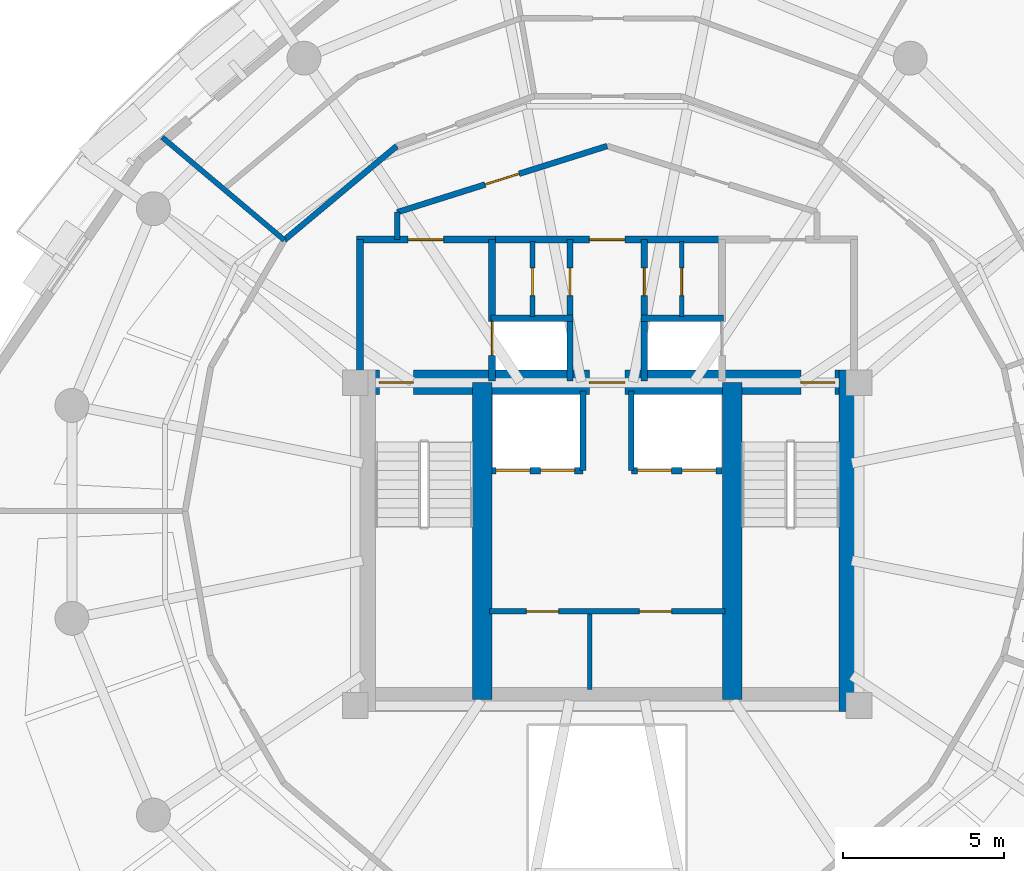
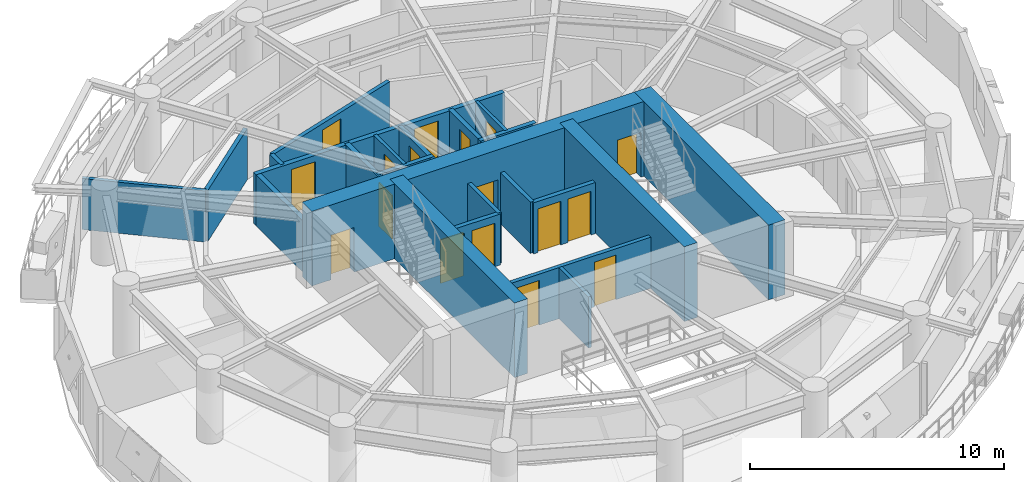
# One storey, part 8 of 12: 24 walls, 17 doors, 17 openings.
"""IFC4 building model written with IfcOpenShell, lengths in metres."""

from ifc_helpers import new_model, si_unit, direction, frame, frame_2d, origin, place, context, subcontext, project, spatial, rectangle, extrude, material, layer, layer_set, type_object, element, fill, save


model = new_model("IFC4")

# Units and contexts
model_context = context("Model", 3, precision=1e-05, world=origin(), true_north=direction((0.0, 1.0)))
body_context = subcontext(model_context, "Body", "Model", "MODEL_VIEW")
ifc_project = project(units=[si_unit("LENGTHUNIT", "METRE"), si_unit("AREAUNIT", "SQUARE_METRE"), si_unit("VOLUMEUNIT", "CUBIC_METRE"), si_unit("PLANEANGLEUNIT", "RADIAN"), si_unit("MASSUNIT", "GRAM", prefix="KILO"), si_unit("THERMODYNAMICTEMPERATUREUNIT", "KELVIN"), si_unit("POWERUNIT", "WATT")], contexts=[model_context])

# Site, building, storey
site_placement = place(None, origin())
site = spatial("IfcSite", under=ifc_project, at=site_placement, CompositionType="ELEMENT")
building_placement = place(site_placement, origin())
building = spatial("IfcBuilding", under=site, at=building_placement, Name="Ocrelia Relay Tower", CompositionType="ELEMENT")
storey_placement = place(building_placement, frame((0.0, 0.0, 198.800048828125)))
storey = spatial("IfcBuildingStorey", under=building, at=storey_placement, Name="L48", CompositionType="ELEMENT", Elevation=198.800048828125)

# Wall, openings, doors
ifc_material_1 = material(Name="Concrete C60/75", Category="concrete")
ifc_layer_1 = layer(ifc_material_1, 0.75, Name="Concrete C60/75")
ifc_layer_set_1 = layer_set([ifc_layer_1], Name="Concrete C60/75")
wall_type_1 = type_object("IfcWallType", Name="CW-CORE-750", PredefinedType="SHEAR", material=ifc_layer_set_1)
wall_1_placement = place(storey_placement, frame((26.072021484375, 30.012939453125, 0.0), z_axis=(0.0, 0.0, 1.0), x_axis=(1.0, 0.0, 0.0)))
wall_1 = element("IfcWall", 1, at=wall_1_placement, inside=storey, type_object=wall_type_1, Name="L48 Core Shear Wall N", PredefinedType="SHEAR", context=body_context, shape_type="SweptSolid", body=[
    extrude(rectangle(XDim=15.865966796875, YDim=0.75, at=frame_2d((7.93310546875, 0.0))), origin(), (0.0, 0.0, 1.0), 3.599853515625),
])
opening_1_placement = place(wall_1_placement, frame((0.8779296875, 0.0, 0.0)))
opening_1 = element("IfcOpeningElement", 2, at=opening_1_placement, cuts=wall_1, Name="Opening D-FD90", PredefinedType="OPENING", context=body_context, shape_type="SweptSolid", body=[
    extrude(rectangle(XDim=1.050048828125, YDim=2.14990234375, at=frame_2d((0.52490234375, 1.074951171875))), frame((0.0, 0.385009765625, 0.0), z_axis=(0.0, -1.0, 0.0), x_axis=(1.0, 0.0, 0.0)), (0.0, 0.0, 1.0), 0.77001953125),
])
opening_2_placement = place(wall_1_placement, frame((13.927978515625, 0.0, 0.0)))
opening_2 = element("IfcOpeningElement", 3, at=opening_2_placement, cuts=wall_1, Name="Opening D-FD90", PredefinedType="OPENING", context=body_context, shape_type="SweptSolid", body=[
    extrude(rectangle(XDim=1.050048828125, YDim=2.14990234375, at=frame_2d((0.52490234375, 1.074951171875))), frame((0.0, 0.385009765625, 0.0), z_axis=(0.0, -1.0, 0.0), x_axis=(1.0, 0.0, 0.0)), (0.0, 0.0, 1.0), 0.77001953125),
])
opening_3_placement = place(wall_1_placement, frame((7.3779296875, 0.0, 0.0)))
opening_3 = element("IfcOpeningElement", 4, at=opening_3_placement, cuts=wall_1, Name="Opening D-FD60", PredefinedType="OPENING", context=body_context, shape_type="SweptSolid", body=[
    extrude(rectangle(XDim=1.10009765625, YDim=2.14990234375, at=frame_2d((0.550048828125, 1.074951171875))), frame((0.0, 0.385009765625, 0.0), z_axis=(0.0, -1.0, 0.0), x_axis=(1.0, 0.0, 0.0)), (0.0, 0.0, 1.0), 0.77001953125),
])
ifc_material_2 = material(Name="Timber-core 60-min acoustic fire door", Category="wood")
door_type_1 = type_object("IfcDoorType", Name="DR-LOBBY-FD60-1100", OperationType="NOTDEFINED", PredefinedType="DOOR", material=ifc_material_2)
door_1_placement = place(opening_3_placement, origin())
door_1 = element("IfcDoor", 5, at=door_1_placement, inside=storey, type_object=door_type_1, Name="L48 Core Lift Lobby North Fire Door", OperationType="SINGLE_SWING_LEFT", OverallHeight=2.14990234375, OverallWidth=1.10009765625, PredefinedType="DOOR", context=body_context, shape_type="SweptSolid", body=[
    extrude(rectangle(XDim=1.10009765625, YDim=2.14990234375, at=frame_2d((0.550048828125, 1.074951171875))), frame((0.0, 0.02490234375, 0.0), z_axis=(0.0, -1.0, 0.0), x_axis=(1.0, 0.0, 0.0)), (0.0, 0.0, 1.0), 0.050048828125),
])
fill(opening_3, door_1)
ifc_material_3 = material(Name="Steel S355 90-min fire door", Category="steel")
door_type_2 = type_object("IfcDoorType", Name="DR-STAIR-FD90-1050", OperationType="NOTDEFINED", PredefinedType="DOOR", material=ifc_material_3)
door_2_placement = place(opening_1_placement, origin())
door_2 = element("IfcDoor", 6, at=door_2_placement, inside=storey, type_object=door_type_2, Name="L48 Stair ST1 Fire Door", OperationType="SINGLE_SWING_LEFT", OverallHeight=2.14990234375, OverallWidth=1.050048828125, PredefinedType="DOOR", context=body_context, shape_type="SweptSolid", body=[
    extrude(rectangle(XDim=1.050048828125, YDim=2.14990234375, at=frame_2d((0.52490234375, 1.074951171875))), frame((0.0, 0.02490234375, 0.0), z_axis=(0.0, -1.0, 0.0), x_axis=(1.0, 0.0, 0.0)), (0.0, 0.0, 1.0), 0.050048828125),
])
fill(opening_1, door_2)
door_3_placement = place(opening_2_placement, origin())
door_3 = element("IfcDoor", 7, at=door_3_placement, inside=storey, type_object=door_type_2, Name="L48 Stair ST2 Fire Door", OperationType="SINGLE_SWING_RIGHT", OverallHeight=2.14990234375, OverallWidth=1.050048828125, PredefinedType="DOOR", context=body_context, shape_type="SweptSolid", body=[
    extrude(rectangle(XDim=1.050048828125, YDim=2.14990234375, at=frame_2d((0.52490234375, 1.074951171875))), frame((0.0, 0.02490234375, 0.0), z_axis=(0.0, -1.0, 0.0), x_axis=(1.0, 0.0, 0.0)), (0.0, 0.0, 1.0), 0.050048828125),
])
fill(opening_2, door_3)

# Walls
wall_2_placement = place(storey_placement, frame((41.56298828125, 19.81201171875, 0.0), z_axis=(0.0, 0.0, 1.0), x_axis=(0.0, 1.0, 0.0)))
element("IfcWall", 8, at=wall_2_placement, inside=storey, type_object=wall_type_1, Name="L48 Core Shear Wall E", PredefinedType="SHEAR", context=body_context, shape_type="SweptSolid", body=[
    extrude(rectangle(XDim=10.575927734375, YDim=0.75, at=frame_2d((5.2880859375, 0.0))), origin(), (0.0, 0.0, 1.0), 3.599853515625),
])
for number, where, z_axis, x_axis, name in (
    (9, (30.137939453125, 20.18701171875, 0.0), (0.0, 0.0, 1.0), (0.0, 1.0, 0.0), "L48 Core Shear Wall SPW"),
    (10, (37.8720703125, 20.18701171875, 0.0), (0.0, 0.0, 1.0), (0.0, 1.0, 0.0), "L48 Core Shear Wall SPE"),
):
    element("IfcWall", number, at=place(storey_placement, frame(where, z_axis=z_axis, x_axis=x_axis)), inside=storey, type_object=wall_type_1, Name=name, PredefinedType="SHEAR", context=body_context, shape_type="SweptSolid", body=[
        extrude(rectangle(XDim=9.825927734375, YDim=0.60009765625, at=frame_2d((4.9130859375, 0.0))), origin(), (0.0, 0.0, 1.0), 3.599853515625),
    ])

# Wall, openings, doors
ifc_material_4 = material(Name="Gypsum Fireboard Partition EI60", Category="gypsum")
ifc_layer_2 = layer(ifc_material_4, 0.179931640625, Name="Gypsum Fireboard Partition EI60")
ifc_layer_set_2 = layer_set([ifc_layer_2], Name="Gypsum Fireboard Partition EI60")
wall_type_2 = type_object("IfcWallType", Name="W-CORR-EI60-180", PredefinedType="PARTITIONING", material=ifc_layer_set_2)
wall_3_placement = place(storey_placement, frame((30.35009765625, 22.919921875, 0.0), z_axis=(0.0, 0.0, 1.0), x_axis=(1.0, 0.0, 0.0)))
wall_3 = element("IfcWall", 11, at=wall_3_placement, inside=storey, type_object=wall_type_2, Name="L48 Reclaimed Core Room Partition", PredefinedType="PARTITIONING", context=body_context, shape_type="SweptSolid", body=[
    extrude(rectangle(XDim=7.2998046875, YDim=0.179931640625, at=frame_2d((3.64990234375, 0.0))), origin(), (0.0, 0.0, 1.0), 2.4599609375),
])
opening_4_placement = place(wall_3_placement, frame((1.14990234375, 0.0, 0.0)))
opening_4 = element("IfcOpeningElement", 12, at=opening_4_placement, cuts=wall_3, Name="Opening D-RM100", PredefinedType="OPENING", context=body_context, shape_type="SweptSolid", body=[
    extrude(rectangle(XDim=1.0, YDim=2.14990234375, at=frame_2d((0.5, 1.074951171875))), frame((0.0, 0.10009765625, 0.0), z_axis=(0.0, -1.0, 0.0), x_axis=(1.0, 0.0, 0.0)), (0.0, 0.0, 1.0), 0.199951171875),
])
opening_5_placement = place(wall_3_placement, frame((4.64990234375, 0.0, 0.0)))
opening_5 = element("IfcOpeningElement", 13, at=opening_5_placement, cuts=wall_3, Name="Opening D-RM100", PredefinedType="OPENING", context=body_context, shape_type="SweptSolid", body=[
    extrude(rectangle(XDim=1.0, YDim=2.14990234375, at=frame_2d((0.5, 1.074951171875))), frame((0.0, 0.10009765625, 0.0), z_axis=(0.0, -1.0, 0.0), x_axis=(1.0, 0.0, 0.0)), (0.0, 0.0, 1.0), 0.199951171875),
])
ifc_material_5 = material(Name="Acoustic oak veneer fire door", Category="wood")
door_type_3 = type_object("IfcDoorType", Name="DR-ROOM-FD60-1000", OperationType="NOTDEFINED", PredefinedType="DOOR", material=ifc_material_5)
door_4_placement = place(opening_4_placement, origin())
door_4 = element("IfcDoor", 14, at=door_4_placement, inside=storey, type_object=door_type_3, Name="L48 Reclaimed Core Room 1 Door", OperationType="SINGLE_SWING_LEFT", OverallHeight=2.14990234375, OverallWidth=1.0, PredefinedType="DOOR", context=body_context, shape_type="SweptSolid", body=[
    extrude(rectangle(XDim=1.0, YDim=2.14990234375, at=frame_2d((0.5, 1.074951171875))), frame((0.0, 0.02490234375, 0.0), z_axis=(0.0, -1.0, 0.0), x_axis=(1.0, 0.0, 0.0)), (0.0, 0.0, 1.0), 0.050048828125),
])
fill(opening_4, door_4)
door_5_placement = place(opening_5_placement, origin())
door_5 = element("IfcDoor", 15, at=door_5_placement, inside=storey, type_object=door_type_3, Name="L48 Reclaimed Core Room 2 Door", OperationType="SINGLE_SWING_RIGHT", OverallHeight=2.14990234375, OverallWidth=1.0, PredefinedType="DOOR", context=body_context, shape_type="SweptSolid", body=[
    extrude(rectangle(XDim=1.0, YDim=2.14990234375, at=frame_2d((0.5, 1.074951171875))), frame((0.0, 0.02490234375, 0.0), z_axis=(0.0, -1.0, 0.0), x_axis=(1.0, 0.0, 0.0)), (0.0, 0.0, 1.0), 0.050048828125),
])
fill(opening_5, door_5)

# Wall
wall_4_placement = place(storey_placement, frame((27.5, 34.429931640625, 0.0), z_axis=(0.0, 0.0, 1.0), x_axis=(0.0, 1.0, 0.0)))
element("IfcWall", 16, at=wall_4_placement, inside=storey, type_object=wall_type_2, Name="L48 Smoke Lobby West Return", PredefinedType="PARTITIONING", context=body_context, shape_type="SweptSolid", body=[
    extrude(rectangle(XDim=0.85009765625, YDim=0.179931640625, at=frame_2d((0.425048828125, 0.0))), origin(), (0.0, 0.0, 1.0), 2.4599609375),
])

# Wall, opening, door
wall_5_placement = place(storey_placement, frame((27.5, 35.280029296875, 0.0), z_axis=(0.0, 0.0, 1.0), x_axis=(0.953691418528, 0.300786765376, 0.0)))
wall_5 = element("IfcWall", 17, at=wall_5_placement, inside=storey, type_object=wall_type_2, Name="L48 North Smoke Lobby W Screen Wall", PredefinedType="PARTITIONING", context=body_context, shape_type="SweptSolid", body=[
    extrude(rectangle(XDim=6.815673828125, YDim=0.179931640625, at=frame_2d((3.40771484375, 0.0))), origin(), (0.0, 0.0, 1.0), 2.4599609375),
])
opening_6_placement = place(wall_5_placement, frame((2.85791015625, 0.0, 0.0)))
opening_6 = element("IfcOpeningElement", 18, at=opening_6_placement, cuts=wall_5, Name="Opening D-FD60", PredefinedType="OPENING", context=body_context, shape_type="SweptSolid", body=[
    extrude(rectangle(XDim=1.10009765625, YDim=2.14990234375, at=frame_2d((0.550048828125, 1.074951171875))), frame((0.0, 0.10009765625, 0.0), z_axis=(0.0, -1.0, 0.0), x_axis=(1.0, 0.0, 0.0)), (0.0, 0.0, 1.0), 0.199951171875),
])
door_6_placement = place(opening_6_placement, origin())
door_6 = element("IfcDoor", 19, at=door_6_placement, inside=storey, type_object=door_type_1, Name="L48 North Smoke Lobby W Fire Door", OperationType="SINGLE_SWING_LEFT", OverallHeight=2.14990234375, OverallWidth=1.10009765625, PredefinedType="DOOR", context=body_context, shape_type="SweptSolid", body=[
    extrude(rectangle(XDim=1.10009765625, YDim=2.14990234375, at=frame_2d((0.550048828125, 1.074951171875))), frame((0.0, 0.02490234375, 0.0), z_axis=(0.0, -1.0, 0.0), x_axis=(1.0, 0.0, 0.0)), (0.0, 0.0, 1.0), 0.050048828125),
])
fill(opening_6, door_6)

# Walls
wall_6_placement = place(storey_placement, frame((27.48486328125, 37.330322265625, 0.0), z_axis=(0.0, 0.0, 1.0), x_axis=(-0.767179846664, -0.641432056318, 0.0)))
element("IfcWall", 20, at=wall_6_placement, inside=storey, type_object=wall_type_2, Name="L48 Routing Office D Corridor Partition 2", PredefinedType="PARTITIONING", context=body_context, shape_type="SweptSolid", body=[
    extrude(rectangle(XDim=4.539306640625, YDim=0.179931640625, at=frame_2d((2.26953125, 0.0))), origin(), (0.0, 0.0, 1.0), 2.4599609375),
])
ifc_material_6 = material(Name="Concrete C50/60", Category="concrete")
ifc_layer_3 = layer(ifc_material_6, 0.219970703125, Name="Concrete C50/60")
ifc_layer_set_3 = layer_set([ifc_layer_3], Name="Concrete C50/60")
wall_type_3 = type_object("IfcWallType", Name="W-FFL-EI120-220", PredefinedType="SOLIDWALL", material=ifc_layer_set_3)
wall_7_placement = place(storey_placement, frame((26.35009765625, 30.050048828125, 0.0), z_axis=(0.0, 0.0, 1.0), x_axis=(0.0, 1.0, 0.0)))
element("IfcWall", 21, at=wall_7_placement, inside=storey, type_object=wall_type_3, Name="L48 W Fire Service Lift Lobby West Wall", PredefinedType="SOLIDWALL", context=body_context, shape_type="SweptSolid", body=[
    extrude(rectangle(XDim=4.3798828125, YDim=0.219970703125, at=frame_2d((2.18994140625, 0.0))), origin(), (0.0, 0.0, 1.0), 2.4599609375),
])

# Wall, opening, door
wall_8_placement = place(storey_placement, frame((30.43994140625, 30.050048828125, 0.0), z_axis=(0.0, 0.0, 1.0), x_axis=(0.0, 1.0, 0.0)))
wall_8 = element("IfcWall", 22, at=wall_8_placement, inside=storey, type_object=wall_type_3, Name="L48 W Fire Service Lift Lobby East Wall", PredefinedType="SOLIDWALL", context=body_context, shape_type="SweptSolid", body=[
    extrude(rectangle(XDim=4.3798828125, YDim=0.219970703125, at=frame_2d((2.18994140625, 0.0))), origin(), (0.0, 0.0, 1.0), 2.4599609375),
])
opening_7_placement = place(wall_8_placement, frame((0.800048828125, 0.0, 0.0)))
opening_7 = element("IfcOpeningElement", 23, at=opening_7_placement, cuts=wall_8, Name="Opening LD-FFL1", PredefinedType="OPENING", context=body_context, shape_type="SweptSolid", body=[
    extrude(rectangle(XDim=1.050048828125, YDim=2.10009765625, at=frame_2d((0.52490234375, 1.050048828125))), frame((0.0, 0.1201171875, 0.0), z_axis=(0.0, -1.0, 0.0), x_axis=(1.0, 0.0, 0.0)), (0.0, 0.0, 1.0), 0.239990234375),
])
ifc_material_7 = material(Name="Brushed stainless steel S355 lift landing door", Category="steel")
door_type_4 = type_object("IfcDoorType", Name="DR-LIFT-LAND-1050", OperationType="DOUBLE_DOOR_SLIDING", PredefinedType="USERDEFINED", material=ifc_material_7)
door_7_placement = place(opening_7_placement, origin())
door_7 = element("IfcDoor", 24, at=door_7_placement, inside=storey, type_object=door_type_4, Name="L48 Firefighting Lift FFL1 Sliding Landing Door", ObjectType="LANDING DOOR", OperationType="DOUBLE_DOOR_SLIDING", OverallHeight=2.10009765625, OverallWidth=1.050048828125, PredefinedType="USERDEFINED", context=body_context, shape_type="SweptSolid", body=[
    extrude(rectangle(XDim=1.050048828125, YDim=2.10009765625, at=frame_2d((0.52490234375, 1.050048828125))), frame((0.0, 0.02490234375, 0.0), z_axis=(0.0, -1.0, 0.0), x_axis=(1.0, 0.0, 0.0)), (0.0, 0.0, 1.0), 0.050048828125),
])
fill(opening_7, door_7)

wall_9_placement = place(storey_placement, frame((26.239990234375, 34.429931640625, 0.0), z_axis=(0.0, 0.0, 1.0), x_axis=(1.0, 0.0, 0.0)))
wall_9 = element("IfcWall", 25, at=wall_9_placement, inside=storey, type_object=wall_type_3, Name="L48 W Fire Service Lift Lobby North Wall", PredefinedType="SOLIDWALL", context=body_context, shape_type="SweptSolid", body=[
    extrude(rectangle(XDim=4.31005859375, YDim=0.219970703125, at=frame_2d((2.155029296875, 0.0))), origin(), (0.0, 0.0, 1.0), 2.4599609375),
])
opening_8_placement = place(wall_9_placement, frame((1.60009765625, 0.0, 0.0)))
opening_8 = element("IfcOpeningElement", 26, at=opening_8_placement, cuts=wall_9, Name="Opening D-FD60", PredefinedType="OPENING", context=body_context, shape_type="SweptSolid", body=[
    extrude(rectangle(XDim=1.10009765625, YDim=2.14990234375, at=frame_2d((0.550048828125, 1.074951171875))), frame((0.0, 0.1201171875, 0.0), z_axis=(0.0, -1.0, 0.0), x_axis=(1.0, 0.0, 0.0)), (0.0, 0.0, 1.0), 0.239990234375),
])
door_8_placement = place(opening_8_placement, origin())
door_8 = element("IfcDoor", 27, at=door_8_placement, inside=storey, type_object=door_type_1, Name="L48 W Fire Service Lift Lobby Exit Door", OperationType="SINGLE_SWING_RIGHT", OverallHeight=2.14990234375, OverallWidth=1.10009765625, PredefinedType="DOOR", context=body_context, shape_type="SweptSolid", body=[
    extrude(rectangle(XDim=1.10009765625, YDim=2.14990234375, at=frame_2d((0.550048828125, 1.074951171875))), frame((0.0, 0.02490234375, 0.0), z_axis=(0.0, -1.0, 0.0), x_axis=(1.0, 0.0, 0.0)), (0.0, 0.0, 1.0), 0.050048828125),
])
fill(opening_8, door_8)

wall_10_placement = place(storey_placement, frame((30.43994140625, 34.429931640625, 0.0), z_axis=(0.0, 0.0, 1.0), x_axis=(1.0, 0.0, 0.0)))
wall_10 = element("IfcWall", 28, at=wall_10_placement, inside=storey, type_object=wall_type_3, Name="L48 North Core Vestibule Wall", PredefinedType="SOLIDWALL", context=body_context, shape_type="SweptSolid", body=[
    extrude(rectangle(XDim=7.1201171875, YDim=0.219970703125, at=frame_2d((3.56005859375, 0.0))), origin(), (0.0, 0.0, 1.0), 2.4599609375),
])
opening_9_placement = place(wall_10_placement, frame((3.010009765625, 0.0, 0.0)))
opening_9 = element("IfcOpeningElement", 29, at=opening_9_placement, cuts=wall_10, Name="Opening D-FD60", PredefinedType="OPENING", context=body_context, shape_type="SweptSolid", body=[
    extrude(rectangle(XDim=1.10009765625, YDim=2.14990234375, at=frame_2d((0.550048828125, 1.074951171875))), frame((0.0, 0.1201171875, 0.0), z_axis=(0.0, -1.0, 0.0), x_axis=(1.0, 0.0, 0.0)), (0.0, 0.0, 1.0), 0.239990234375),
])
door_9_placement = place(opening_9_placement, origin())
door_9 = element("IfcDoor", 30, at=door_9_placement, inside=storey, type_object=door_type_1, Name="L48 North Core Vestibule Corridor Door", OperationType="SINGLE_SWING_RIGHT", OverallHeight=2.14990234375, OverallWidth=1.10009765625, PredefinedType="DOOR", context=body_context, shape_type="SweptSolid", body=[
    extrude(rectangle(XDim=1.10009765625, YDim=2.14990234375, at=frame_2d((0.550048828125, 1.074951171875))), frame((0.0, 0.02490234375, 0.0), z_axis=(0.0, -1.0, 0.0), x_axis=(1.0, 0.0, 0.0)), (0.0, 0.0, 1.0), 0.050048828125),
])
fill(opening_9, door_9)

ifc_material_8 = material(Name="Acoustic Fireboard Partition EI60", Category="gypsum")
ifc_layer_4 = layer(ifc_material_8, 0.14990234375, Name="Acoustic Fireboard Partition EI60")
ifc_layer_set_4 = layer_set([ifc_layer_4], Name="Acoustic Fireboard Partition EI60")
wall_type_4 = type_object("IfcWallType", Name="W-PART-150", PredefinedType="PARTITIONING", material=ifc_layer_set_4)
wall_11_placement = place(storey_placement, frame((31.68994140625, 32.050048828125, 0.0), z_axis=(0.0, 0.0, 1.0), x_axis=(0.0, 1.0, 0.0)))
wall_11 = element("IfcWall", 31, at=wall_11_placement, inside=storey, type_object=wall_type_4, Name="L48 West Core Support Partition", PredefinedType="PARTITIONING", context=body_context, shape_type="SweptSolid", body=[
    extrude(rectangle(XDim=2.329833984375, YDim=0.14990234375, at=frame_2d((1.1650390625, 0.0))), origin(), (0.0, 0.0, 1.0), 2.4599609375),
])
opening_10_placement = place(wall_11_placement, frame((0.64990234375, 0.0, 0.0)))
opening_10 = element("IfcOpeningElement", 32, at=opening_10_placement, cuts=wall_11, Name="Opening D-RS86", PredefinedType="OPENING", context=body_context, shape_type="SweptSolid", body=[
    extrude(rectangle(XDim=0.860107421875, YDim=2.050048828125, at=frame_2d((0.43017578125, 1.02490234375))), frame((0.0, 0.0849609375, 0.0), z_axis=(0.0, -1.0, 0.0), x_axis=(1.0, 0.0, 0.0)), (0.0, 0.0, 1.0), 0.169921875),
])
ifc_material_9 = material(Name="Steel S355 riser access fire door", Category="steel")
door_type_5 = type_object("IfcDoorType", Name="DR-RISER-TRAP-860", OperationType="NOTDEFINED", PredefinedType="TRAPDOOR", material=ifc_material_9)
door_10_placement = place(opening_10_placement, origin())
door_10 = element("IfcDoor", 33, at=door_10_placement, inside=storey, type_object=door_type_5, Name="L48 West Core Store Connecting Door", OperationType="SINGLE_SWING_LEFT", OverallHeight=2.050048828125, OverallWidth=0.860107421875, PredefinedType="TRAPDOOR", context=body_context, shape_type="SweptSolid", body=[
    extrude(rectangle(XDim=0.860107421875, YDim=2.050048828125, at=frame_2d((0.43017578125, 1.02490234375))), frame((0.0, 0.02490234375, 0.0), z_axis=(0.0, -1.0, 0.0), x_axis=(1.0, 0.0, 0.0)), (0.0, 0.0, 1.0), 0.050048828125),
])
fill(opening_10, door_10)

wall_12_placement = place(storey_placement, frame((36.31005859375, 32.050048828125, 0.0), z_axis=(0.0, 0.0, 1.0), x_axis=(0.0, 1.0, 0.0)))
wall_12 = element("IfcWall", 34, at=wall_12_placement, inside=storey, type_object=wall_type_4, Name="L48 East Core Support Partition", PredefinedType="PARTITIONING", context=body_context, shape_type="SweptSolid", body=[
    extrude(rectangle(XDim=2.329833984375, YDim=0.14990234375, at=frame_2d((1.1650390625, 0.0))), origin(), (0.0, 0.0, 1.0), 2.4599609375),
])
opening_11_placement = place(wall_12_placement, frame((0.64990234375, 0.0, 0.0)))
opening_11 = element("IfcOpeningElement", 35, at=opening_11_placement, cuts=wall_12, Name="Opening D-RS86", PredefinedType="OPENING", context=body_context, shape_type="SweptSolid", body=[
    extrude(rectangle(XDim=0.860107421875, YDim=2.050048828125, at=frame_2d((0.43017578125, 1.02490234375))), frame((0.0, 0.0849609375, 0.0), z_axis=(0.0, -1.0, 0.0), x_axis=(1.0, 0.0, 0.0)), (0.0, 0.0, 1.0), 0.169921875),
])
door_11_placement = place(opening_11_placement, origin())
door_11 = element("IfcDoor", 36, at=door_11_placement, inside=storey, type_object=door_type_5, Name="L48 East Core Store Connecting Door", OperationType="SINGLE_SWING_RIGHT", OverallHeight=2.050048828125, OverallWidth=0.860107421875, PredefinedType="TRAPDOOR", context=body_context, shape_type="SweptSolid", body=[
    extrude(rectangle(XDim=0.860107421875, YDim=2.050048828125, at=frame_2d((0.43017578125, 1.02490234375))), frame((0.0, 0.02490234375, 0.0), z_axis=(0.0, -1.0, 0.0), x_axis=(1.0, 0.0, 0.0)), (0.0, 0.0, 1.0), 0.050048828125),
])
fill(opening_11, door_11)

# Walls
wall_13_placement = place(storey_placement, frame((33.4599609375, 20.5, 0.0), z_axis=(0.0, 0.0, 1.0), x_axis=(0.0, 1.0, 0.0)))
element("IfcWall", 37, at=wall_13_placement, inside=storey, type_object=wall_type_4, Name="L48 Reclaimed Core Dividing Wall", PredefinedType="PARTITIONING", context=body_context, shape_type="SweptSolid", body=[
    extrude(rectangle(XDim=2.340087890625, YDim=0.14990234375, at=frame_2d((1.169921875, 0.0))), origin(), (0.0, 0.0, 1.0), 2.4599609375),
])
ifc_layer_5 = layer(ifc_material_8, 0.159912109375, Name="Acoustic Fireboard Partition EI60")
ifc_layer_set_5 = layer_set([ifc_layer_5], Name="Acoustic Fireboard Partition EI60")
wall_type_5 = type_object("IfcWallType", Name="W-PART-160", PredefinedType="PARTITIONING", material=ifc_layer_set_5)
wall_14_placement = place(storey_placement, frame((24.00244140625, 34.418701171875, 0.0), z_axis=(0.0, 0.0, 1.0), x_axis=(-0.764927848517, 0.644115972914, 0.0)))
element("IfcWall", 38, at=wall_14_placement, inside=storey, type_object=wall_type_5, Name="L48 Routing Office D Radial Partition", PredefinedType="PARTITIONING", context=body_context, shape_type="SweptSolid", body=[
    extrude(rectangle(XDim=4.94287109375, YDim=0.159912109375, at=frame_2d((2.471435546875, 0.0))), origin(), (0.0, 0.0, 1.0), 2.4599609375),
])
ifc_layer_6 = layer(ifc_material_6, 0.199951171875, Name="Concrete C50/60")
ifc_layer_set_6 = layer_set([ifc_layer_6], Name="Concrete C50/60")
wall_type_6 = type_object("IfcWallType", Name="W-SHAFT-EI120-200", PredefinedType="SOLIDWALL", material=ifc_layer_set_6)
wall_15_placement = place(storey_placement, frame((30.39990234375, 32.0, 0.0), z_axis=(0.0, 0.0, 1.0), x_axis=(1.0, 0.0, 0.0)))
element("IfcWall", 39, at=wall_15_placement, inside=storey, type_object=wall_type_6, Name="L48 FFL1 Hoistway North Wall", PredefinedType="SOLIDWALL", context=body_context, shape_type="SweptSolid", body=[
    extrude(rectangle(XDim=2.550048828125, YDim=0.199951171875, at=frame_2d((1.27490234375, 0.0))), origin(), (0.0, 0.0, 1.0), 2.4599609375),
])

# Wall, opening, door
wall_16_placement = place(storey_placement, frame((32.85009765625, 30.050048828125, 0.0), z_axis=(0.0, 0.0, 1.0), x_axis=(0.0, 1.0, 0.0)))
wall_16 = element("IfcWall", 40, at=wall_16_placement, inside=storey, type_object=wall_type_6, Name="L48 FFL1 and Service Vestibule Wall", PredefinedType="SOLIDWALL", context=body_context, shape_type="SweptSolid", body=[
    extrude(rectangle(XDim=4.3798828125, YDim=0.199951171875, at=frame_2d((2.18994140625, 0.0))), origin(), (0.0, 0.0, 1.0), 2.4599609375),
])
opening_12_placement = place(wall_16_placement, frame((2.64990234375, 0.0, 0.0)))
opening_12 = element("IfcOpeningElement", 41, at=opening_12_placement, cuts=wall_16, Name="Opening D-RS86", PredefinedType="OPENING", context=body_context, shape_type="SweptSolid", body=[
    extrude(rectangle(XDim=0.860107421875, YDim=2.050048828125, at=frame_2d((0.43017578125, 1.02490234375))), frame((0.0, 0.10986328125, 0.0), z_axis=(0.0, -1.0, 0.0), x_axis=(1.0, 0.0, 0.0)), (0.0, 0.0, 1.0), 0.219970703125),
])
door_12_placement = place(opening_12_placement, origin())
door_12 = element("IfcDoor", 42, at=door_12_placement, inside=storey, type_object=door_type_5, Name="L48 Core Support Room W Door", OperationType="SINGLE_SWING_LEFT", OverallHeight=2.050048828125, OverallWidth=0.860107421875, PredefinedType="TRAPDOOR", context=body_context, shape_type="SweptSolid", body=[
    extrude(rectangle(XDim=0.860107421875, YDim=2.050048828125, at=frame_2d((0.43017578125, 1.02490234375))), frame((0.0, 0.02490234375, 0.0), z_axis=(0.0, -1.0, 0.0), x_axis=(1.0, 0.0, 0.0)), (0.0, 0.0, 1.0), 0.050048828125),
])
fill(opening_12, door_12)

# Wall
wall_17_placement = place(storey_placement, frame((35.050048828125, 32.0, 0.0), z_axis=(0.0, 0.0, 1.0), x_axis=(1.0, 0.0, 0.0)))
element("IfcWall", 43, at=wall_17_placement, inside=storey, type_object=wall_type_6, Name="L48 FFL2 Hoistway North Wall", PredefinedType="SOLIDWALL", context=body_context, shape_type="SweptSolid", body=[
    extrude(rectangle(XDim=2.550048828125, YDim=0.199951171875, at=frame_2d((1.27490234375, 0.0))), origin(), (0.0, 0.0, 1.0), 2.4599609375),
])

# Wall, opening, door
wall_18_placement = place(storey_placement, frame((35.14990234375, 30.050048828125, 0.0), z_axis=(0.0, 0.0, 1.0), x_axis=(0.0, 1.0, 0.0)))
wall_18 = element("IfcWall", 44, at=wall_18_placement, inside=storey, type_object=wall_type_6, Name="L48 FFL2 and Service Vestibule Wall", PredefinedType="SOLIDWALL", context=body_context, shape_type="SweptSolid", body=[
    extrude(rectangle(XDim=4.3798828125, YDim=0.199951171875, at=frame_2d((2.18994140625, 0.0))), origin(), (0.0, 0.0, 1.0), 2.4599609375),
])
opening_13_placement = place(wall_18_placement, frame((2.64990234375, 0.0, 0.0)))
opening_13 = element("IfcOpeningElement", 45, at=opening_13_placement, cuts=wall_18, Name="Opening D-RS86", PredefinedType="OPENING", context=body_context, shape_type="SweptSolid", body=[
    extrude(rectangle(XDim=0.860107421875, YDim=2.050048828125, at=frame_2d((0.43017578125, 1.02490234375))), frame((0.0, 0.10986328125, 0.0), z_axis=(0.0, -1.0, 0.0), x_axis=(1.0, 0.0, 0.0)), (0.0, 0.0, 1.0), 0.219970703125),
])
door_13_placement = place(opening_13_placement, origin())
door_13 = element("IfcDoor", 46, at=door_13_placement, inside=storey, type_object=door_type_5, Name="L48 Core Support Room E Door", OperationType="SINGLE_SWING_LEFT", OverallHeight=2.050048828125, OverallWidth=0.860107421875, PredefinedType="TRAPDOOR", context=body_context, shape_type="SweptSolid", body=[
    extrude(rectangle(XDim=0.860107421875, YDim=2.050048828125, at=frame_2d((0.43017578125, 1.02490234375))), frame((0.0, 0.02490234375, 0.0), z_axis=(0.0, -1.0, 0.0), x_axis=(1.0, 0.0, 0.0)), (0.0, 0.0, 1.0), 0.050048828125),
])
fill(opening_13, door_13)

# Wall, openings, doors
wall_19_placement = place(storey_placement, frame((30.43994140625, 27.280029296875, 0.0), z_axis=(0.0, 0.0, 1.0), x_axis=(1.0, 0.0, 0.0)))
wall_19 = element("IfcWall", 47, at=wall_19_placement, inside=storey, type_object=wall_type_6, Name="L48 High-Rise Lift Hoistway Wall W", PredefinedType="SOLIDWALL", context=body_context, shape_type="SweptSolid", body=[
    extrude(rectangle(XDim=2.81005859375, YDim=0.199951171875, at=frame_2d((1.405029296875, 0.0))), origin(), (0.0, 0.0, 1.0), 2.4599609375),
])
opening_14_placement = place(wall_19_placement, frame((0.1201171875, 0.0, 0.0)))
opening_14 = element("IfcOpeningElement", 48, at=opening_14_placement, cuts=wall_19, Name="Opening LD-PL5", PredefinedType="OPENING", context=body_context, shape_type="SweptSolid", body=[
    extrude(rectangle(XDim=1.050048828125, YDim=2.10009765625, at=frame_2d((0.52490234375, 1.050048828125))), frame((0.0, 0.10986328125, 0.0), z_axis=(0.0, -1.0, 0.0), x_axis=(1.0, 0.0, 0.0)), (0.0, 0.0, 1.0), 0.219970703125),
])
opening_15_placement = place(wall_19_placement, frame((1.5, 0.0, 0.0)))
opening_15 = element("IfcOpeningElement", 49, at=opening_15_placement, cuts=wall_19, Name="Opening LD-PL6", PredefinedType="OPENING", context=body_context, shape_type="SweptSolid", body=[
    extrude(rectangle(XDim=1.050048828125, YDim=2.10009765625, at=frame_2d((0.52490234375, 1.050048828125))), frame((0.0, 0.10986328125, 0.0), z_axis=(0.0, -1.0, 0.0), x_axis=(1.0, 0.0, 0.0)), (0.0, 0.0, 1.0), 0.219970703125),
])
door_14_placement = place(opening_14_placement, origin())
door_14 = element("IfcDoor", 50, at=door_14_placement, inside=storey, type_object=door_type_4, Name="L48 High-Rise Lift PL5 Sliding Landing Door", ObjectType="LANDING DOOR", OperationType="DOUBLE_DOOR_SLIDING", OverallHeight=2.10009765625, OverallWidth=1.050048828125, PredefinedType="USERDEFINED", context=body_context, shape_type="SweptSolid", body=[
    extrude(rectangle(XDim=1.050048828125, YDim=2.10009765625, at=frame_2d((0.52490234375, 1.050048828125))), frame((0.0, 0.02490234375, 0.0), z_axis=(0.0, -1.0, 0.0), x_axis=(1.0, 0.0, 0.0)), (0.0, 0.0, 1.0), 0.050048828125),
])
fill(opening_14, door_14)
door_15_placement = place(opening_15_placement, origin())
door_15 = element("IfcDoor", 51, at=door_15_placement, inside=storey, type_object=door_type_4, Name="L48 High-Rise Lift PL6 Sliding Landing Door", ObjectType="LANDING DOOR", OperationType="DOUBLE_DOOR_SLIDING", OverallHeight=2.10009765625, OverallWidth=1.050048828125, PredefinedType="USERDEFINED", context=body_context, shape_type="SweptSolid", body=[
    extrude(rectangle(XDim=1.050048828125, YDim=2.10009765625, at=frame_2d((0.52490234375, 1.050048828125))), frame((0.0, 0.02490234375, 0.0), z_axis=(0.0, -1.0, 0.0), x_axis=(1.0, 0.0, 0.0)), (0.0, 0.0, 1.0), 0.050048828125),
])
fill(opening_15, door_15)

# Wall
wall_20_placement = place(storey_placement, frame((33.25, 27.280029296875, 0.0), z_axis=(0.0, 0.0, 1.0), x_axis=(0.0, 1.0, 0.0)))
element("IfcWall", 52, at=wall_20_placement, inside=storey, type_object=wall_type_6, Name="L48 High-Rise Lift Throat Wall W", PredefinedType="SOLIDWALL", context=body_context, shape_type="SweptSolid", body=[
    extrude(rectangle(XDim=2.469970703125, YDim=0.179931640625, at=frame_2d((1.23486328125, 0.0))), origin(), (0.0, 0.0, 1.0), 2.4599609375),
])

# Wall, openings, doors
wall_21_placement = place(storey_placement, frame((34.75, 27.280029296875, 0.0), z_axis=(0.0, 0.0, 1.0), x_axis=(1.0, 0.0, 0.0)))
wall_21 = element("IfcWall", 53, at=wall_21_placement, inside=storey, type_object=wall_type_6, Name="L48 High-Rise Lift Hoistway Wall E", PredefinedType="SOLIDWALL", context=body_context, shape_type="SweptSolid", body=[
    extrude(rectangle(XDim=2.81005859375, YDim=0.199951171875, at=frame_2d((1.405029296875, 0.0))), origin(), (0.0, 0.0, 1.0), 2.4599609375),
])
opening_16_placement = place(wall_21_placement, frame((0.18994140625, 0.0, 0.0)))
opening_16 = element("IfcOpeningElement", 54, at=opening_16_placement, cuts=wall_21, Name="Opening LD-PL7", PredefinedType="OPENING", context=body_context, shape_type="SweptSolid", body=[
    extrude(rectangle(XDim=1.050048828125, YDim=2.10009765625, at=frame_2d((0.52490234375, 1.050048828125))), frame((0.0, 0.10986328125, 0.0), z_axis=(0.0, -1.0, 0.0), x_axis=(1.0, 0.0, 0.0)), (0.0, 0.0, 1.0), 0.219970703125),
])
opening_17_placement = place(wall_21_placement, frame((1.570068359375, 0.0, 0.0)))
opening_17 = element("IfcOpeningElement", 55, at=opening_17_placement, cuts=wall_21, Name="Opening LD-PL8", PredefinedType="OPENING", context=body_context, shape_type="SweptSolid", body=[
    extrude(rectangle(XDim=1.050048828125, YDim=2.10009765625, at=frame_2d((0.52490234375, 1.050048828125))), frame((0.0, 0.10986328125, 0.0), z_axis=(0.0, -1.0, 0.0), x_axis=(1.0, 0.0, 0.0)), (0.0, 0.0, 1.0), 0.219970703125),
])
door_16_placement = place(opening_16_placement, origin())
door_16 = element("IfcDoor", 56, at=door_16_placement, inside=storey, type_object=door_type_4, Name="L48 High-Rise Lift PL7 Sliding Landing Door", ObjectType="LANDING DOOR", OperationType="DOUBLE_DOOR_SLIDING", OverallHeight=2.10009765625, OverallWidth=1.050048828125, PredefinedType="USERDEFINED", context=body_context, shape_type="SweptSolid", body=[
    extrude(rectangle(XDim=1.050048828125, YDim=2.10009765625, at=frame_2d((0.52490234375, 1.050048828125))), frame((0.0, 0.02490234375, 0.0), z_axis=(0.0, -1.0, 0.0), x_axis=(1.0, 0.0, 0.0)), (0.0, 0.0, 1.0), 0.050048828125),
])
fill(opening_16, door_16)
door_17_placement = place(opening_17_placement, origin())
door_17 = element("IfcDoor", 57, at=door_17_placement, inside=storey, type_object=door_type_4, Name="L48 High-Rise Lift PL8 Sliding Landing Door", ObjectType="LANDING DOOR", OperationType="DOUBLE_DOOR_SLIDING", OverallHeight=2.10009765625, OverallWidth=1.050048828125, PredefinedType="USERDEFINED", context=body_context, shape_type="SweptSolid", body=[
    extrude(rectangle(XDim=1.050048828125, YDim=2.10009765625, at=frame_2d((0.52490234375, 1.050048828125))), frame((0.0, 0.02490234375, 0.0), z_axis=(0.0, -1.0, 0.0), x_axis=(1.0, 0.0, 0.0)), (0.0, 0.0, 1.0), 0.050048828125),
])
fill(opening_17, door_17)

# Wall
wall_22_placement = place(storey_placement, frame((34.75, 27.280029296875, 0.0), z_axis=(0.0, 0.0, 1.0), x_axis=(0.0, 1.0, 0.0)))
element("IfcWall", 58, at=wall_22_placement, inside=storey, type_object=wall_type_6, Name="L48 High-Rise Lift Throat Wall E", PredefinedType="SOLIDWALL", context=body_context, shape_type="SweptSolid", body=[
    extrude(rectangle(XDim=2.469970703125, YDim=0.179931640625, at=frame_2d((1.23486328125, 0.0))), origin(), (0.0, 0.0, 1.0), 2.4599609375),
])

save(model, "model.ifc")
